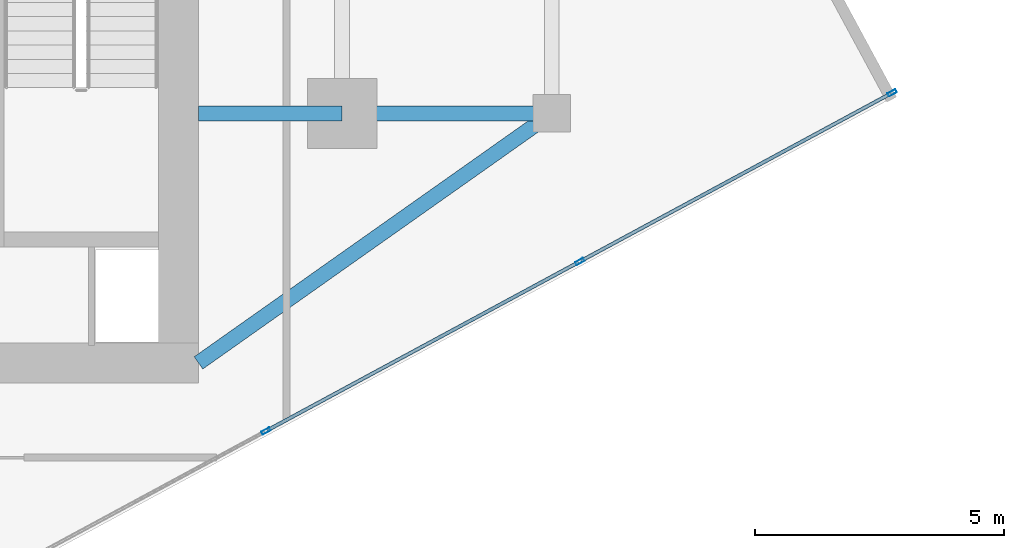
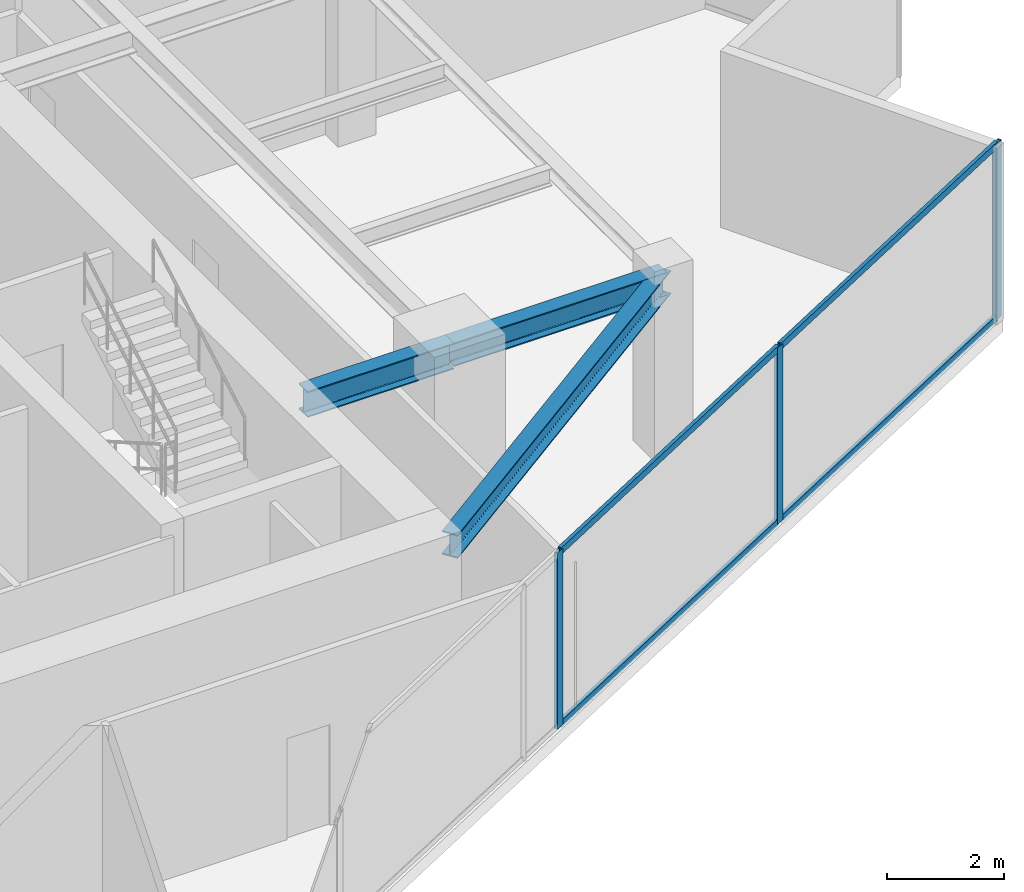
# One storey, part 8 of 22: 7 members, 3 beams, 1 element without a shape of its own.
"""IFC4 building model written with IfcOpenShell, lengths in metres."""

from ifc_helpers import new_model, si_unit, direction, frame, origin, origin_2d, place, context, subcontext, project, spatial, hollow_rectangle, i_section, extrude, source, transform, mapped, material, material_profile, profile_set, type_object, type_shapes, element, aggregate, save


model = new_model("IFC4")

# Units and contexts
model_context = context("Model", 3, precision=1e-05, world=origin(), true_north=direction((0.0, 1.0)))
body_context = subcontext(model_context, "Body", "Model", "MODEL_VIEW")
ifc_project = project(units=[si_unit("LENGTHUNIT", "METRE"), si_unit("AREAUNIT", "SQUARE_METRE"), si_unit("VOLUMEUNIT", "CUBIC_METRE"), si_unit("PLANEANGLEUNIT", "RADIAN"), si_unit("MASSUNIT", "GRAM", prefix="KILO")], contexts=[model_context])

# Site, building, storey
site_placement = place(None, origin())
site = spatial("IfcSite", under=ifc_project, at=site_placement, CompositionType="ELEMENT")
building_placement = place(site_placement, origin())
building = spatial("IfcBuilding", under=site, at=building_placement, Name="Krantzveldt Concourse Tower", CompositionType="ELEMENT")
storey_placement = place(building_placement, frame((0.0, 0.0, 306.89990234375)))
storey = spatial("IfcBuildingStorey", under=building, at=storey_placement, Name="L75", CompositionType="ELEMENT", Elevation=306.89990234375)

# Beams
ifc_material_1 = material(Name="Steel S355JR", Category="steel")
ifc_material_profile_1 = material_profile(ifc_material_1, i_section(OverallWidth=0.300048828125, OverallDepth=0.489990234375, WebThickness=0.011962890625, FlangeThickness=0.02294921875, FilletRadius=0.027099609375, at=origin_2d()), Name="Steel S355JR", Category="steel")
ifc_profile_set_1 = profile_set([ifc_material_profile_1], Name="Steel S355JR - HEA 500")
beam_type_1 = type_object("IfcBeamType", Name="BM-B-HEA500", PredefinedType="BEAM", material=ifc_profile_set_1)
shared_shape_1 = source(origin(), body_context, "Body", "SweptSolid", [
    extrude(i_section(OverallWidth=0.300048828125, OverallDepth=0.489990234375, WebThickness=0.011962890625, FlangeThickness=0.02294921875, FilletRadius=0.027099609375, at=origin_2d()), origin(), (0.0, 0.0, 1.0), 4.199951171875),
])
beam_1_placement = place(storey_placement, frame((46.800048828125, 15.89990234375, 3.425048828125), z_axis=(1.0, 0.0, 0.0), x_axis=(0.0, 1.0, 0.0)))
element("IfcBeam", 1, at=beam_1_placement, inside=storey, type_object=beam_type_1, Name="L75 Tower Girder BR-RR1", PredefinedType="BEAM", context=body_context, shape_type="MappedRepresentation", body=[
    mapped(shared_shape_1, transform((0.0, 0.0, 0.0), x_axis=(1.0, 0.0, 0.0), y_axis=(0.0, 1.0, 0.0), z_axis=(0.0, 0.0, 1.0), scale=1.0)),
])
shared_shape_2 = source(origin(), body_context, "Body", "SweptSolid", [
    extrude(i_section(OverallWidth=0.300048828125, OverallDepth=0.489990234375, WebThickness=0.011962890625, FlangeThickness=0.02294921875, FilletRadius=0.027099609375, at=origin_2d()), origin(), (0.0, 0.0, 1.0), 8.667724609375),
])
type_shapes(beam_type_1, [shared_shape_1, shared_shape_2])
beam_2_placement = place(storey_placement, frame((51.0, 15.89990234375, 3.425048828125), z_axis=(-0.81684294656, -0.576860122261, 0.0), x_axis=(0.576860122261, -0.81684294656, 0.0)))
element("IfcBeam", 2, at=beam_2_placement, inside=storey, type_object=beam_type_1, Name="L75 Tower Girder BR-CSE", PredefinedType="BEAM", context=body_context, shape_type="MappedRepresentation", body=[
    mapped(shared_shape_2, transform((0.0, 0.0, 0.0), x_axis=(1.0, 0.0, 0.0), y_axis=(0.0, 1.0, 0.0), z_axis=(0.0, 0.0, 1.0), scale=1.0)),
])
ifc_material_profile_2 = material_profile(ifc_material_1, i_section(OverallWidth=0.300048828125, OverallDepth=0.5400390625, WebThickness=0.012451171875, FlangeThickness=0.02392578125, FilletRadius=0.027099609375, at=origin_2d()), Name="Steel S355JR", Category="steel")
ifc_profile_set_2 = profile_set([ifc_material_profile_2], Name="Steel S355JR - HEA 550")
beam_type_2 = type_object("IfcBeamType", Name="BM-B-HEA550", PredefinedType="BEAM", material=ifc_profile_set_2)
shared_shape_3 = source(origin(), body_context, "Body", "SweptSolid", [
    extrude(i_section(OverallWidth=0.300048828125, OverallDepth=0.5400390625, WebThickness=0.012451171875, FlangeThickness=0.02392578125, FilletRadius=0.027099609375, at=origin_2d()), origin(), (0.0, 0.0, 1.0), 2.880126953125),
])
type_shapes(beam_type_2, [shared_shape_3])
beam_3_placement = place(storey_placement, frame((43.919921875, 15.89990234375, 3.400146484375), z_axis=(1.0, 0.0, 0.0), x_axis=(0.0, 1.0, 0.0)))
element("IfcBeam", 3, at=beam_3_placement, inside=storey, type_object=beam_type_2, Name="L75 Tower Girder BG-CE1", PredefinedType="BEAM", context=body_context, shape_type="MappedRepresentation", body=[
    mapped(shared_shape_3, transform((0.0, 0.0, 0.0), x_axis=(1.0, 0.0, 0.0), y_axis=(0.0, 1.0, 0.0), z_axis=(0.0, 0.0, 1.0), scale=1.0)),
])

# Curtain wall, members
ifc_material_2 = material(Name="Anodised aluminium 6063-T6", Category="aluminium")
curtain_wall_type = type_object("IfcCurtainWallType", Name="CW4", PredefinedType="USERDEFINED", material=ifc_material_2)
curtain_wall_placement = place(storey_placement, origin())
curtain_wall = element("IfcCurtainWall", 4, at=curtain_wall_placement, inside=storey, type_object=curtain_wall_type, Name="CW-L75-F07", ObjectType="UNITISED CURTAIN WALL", PredefinedType="USERDEFINED")
ifc_material_profile_3 = material_profile(ifc_material_2, hollow_rectangle(XDim=0.070068359375, YDim=0.179931640625, WallThickness=0.0048828125, at=origin_2d()), Name="Anodised aluminium 6063-T6", Category="aluminium")
ifc_profile_set_3 = profile_set([ifc_material_profile_3], Name="Anodised aluminium 6063-T6 - ALU-MULL 180x70x5")
member_type_1 = type_object("IfcMemberType", Name="CW-MUL-180", PredefinedType="MULLION", material=ifc_profile_set_3)
shared_shape_4 = source(origin(), body_context, "Body", "SweptSolid", [
    extrude(hollow_rectangle(XDim=0.070068359375, YDim=0.179931640625, WallThickness=0.0048828125, at=origin_2d()), origin(), (0.0, 0.0, 1.0), 3.670166015625),
])
type_shapes(member_type_1, [shared_shape_4])
member_1_placement = place(storey_placement, frame((45.27197265625, 9.533935546875, 0.0), z_axis=(0.0, 0.0, 1.0), x_axis=(-0.475240271736, 0.87985605875, 0.0)))
member_1 = element("IfcMember", 5, at=member_1_placement, type_object=member_type_1, Name="CW-Z56 mullion 3", PredefinedType="MULLION", context=body_context, shape_type="MappedRepresentation", body=[
    mapped(shared_shape_4, transform((0.0, 0.0, 0.0), x_axis=(1.0, 0.0, 0.0), y_axis=(0.0, 1.0, 0.0), z_axis=(0.0, 0.0, 1.0), scale=1.0)),
])
member_2_placement = place(storey_placement, frame((51.56298828125, 12.931884765625, 0.0), z_axis=(0.0, 0.0, 1.0), x_axis=(-0.475240271736, 0.87985605875, 0.0)))
member_2 = element("IfcMember", 6, at=member_2_placement, type_object=member_type_1, Name="CW-Z56 mullion 4", PredefinedType="MULLION", context=body_context, shape_type="MappedRepresentation", body=[
    mapped(shared_shape_4, transform((0.0, 0.0, 0.0), x_axis=(1.0, 0.0, 0.0), y_axis=(0.0, 1.0, 0.0), z_axis=(0.0, 0.0, 1.0), scale=1.0)),
])
member_3_placement = place(storey_placement, frame((57.822998046875, 16.313232421875, 0.0), z_axis=(0.0, 0.0, 1.0), x_axis=(-0.475240271736, 0.87985605875, 0.0)))
member_3 = element("IfcMember", 7, at=member_3_placement, type_object=member_type_1, Name="CW-Z56 mullion 5", PredefinedType="MULLION", context=body_context, shape_type="MappedRepresentation", body=[
    mapped(shared_shape_4, transform((0.0, 0.0, 0.0), x_axis=(1.0, 0.0, 0.0), y_axis=(0.0, 1.0, 0.0), z_axis=(0.0, 0.0, 1.0), scale=1.0)),
])
ifc_material_profile_4 = material_profile(ifc_material_2, hollow_rectangle(XDim=0.070068359375, YDim=0.139892578125, WallThickness=0.0048828125, at=origin_2d()), Name="Anodised aluminium 6063-T6", Category="aluminium")
ifc_profile_set_4 = profile_set([ifc_material_profile_4], Name="Anodised aluminium 6063-T6 - ALU-TRAN 140x70x5")
member_type_2 = type_object("IfcMemberType", Name="CW-TRN-150", PredefinedType="USERDEFINED", material=ifc_profile_set_4)
shared_shape_5 = source(origin(), body_context, "Body", "SweptSolid", [
    extrude(hollow_rectangle(XDim=0.070068359375, YDim=0.139892578125, WallThickness=0.0048828125, at=origin_2d()), origin(), (0.0, 0.0, 1.0), 7.044921875),
])
member_4_placement = place(storey_placement, frame((51.59375, 12.94873046875, 0.03515625), z_axis=(0.879862796788, 0.475227796776, 0.0), x_axis=(-0.475227796776, 0.879862796788, 0.0)))
member_4 = element("IfcMember", 8, at=member_4_placement, type_object=member_type_2, Name="CW-Z56 transom 4.1", ObjectType="TRANSOM", PredefinedType="USERDEFINED", context=body_context, shape_type="MappedRepresentation", body=[
    mapped(shared_shape_5, transform((0.0, 0.0, 0.0), x_axis=(1.0, 0.0, 0.0), y_axis=(0.0, 1.0, 0.0), z_axis=(0.0, 0.0, 1.0), scale=1.0)),
])
member_5_placement = place(storey_placement, frame((51.59375, 12.94873046875, 3.635009765625), z_axis=(0.879862796788, 0.475227796776, 0.0), x_axis=(-0.475227796776, 0.879862796788, 0.0)))
member_5 = element("IfcMember", 9, at=member_5_placement, type_object=member_type_2, Name="CW-Z56 transom 4.2", ObjectType="TRANSOM", PredefinedType="USERDEFINED", context=body_context, shape_type="MappedRepresentation", body=[
    mapped(shared_shape_5, transform((0.0, 0.0, 0.0), x_axis=(1.0, 0.0, 0.0), y_axis=(0.0, 1.0, 0.0), z_axis=(0.0, 0.0, 1.0), scale=1.0)),
])
shared_shape_6 = source(origin(), body_context, "Body", "SweptSolid", [
    extrude(hollow_rectangle(XDim=0.070068359375, YDim=0.139892578125, WallThickness=0.0048828125, at=origin_2d()), origin(), (0.0, 0.0, 1.0), 7.080078125),
])
type_shapes(member_type_2, [shared_shape_5, shared_shape_6])
member_6_placement = place(storey_placement, frame((45.302734375, 9.550537109375, 0.03515625), z_axis=(0.879856953046, 0.47523861604, 0.0), x_axis=(-0.47523861604, 0.879856953046, 0.0)))
member_6 = element("IfcMember", 10, at=member_6_placement, type_object=member_type_2, Name="CW-Z56 transom 3.1", ObjectType="TRANSOM", PredefinedType="USERDEFINED", context=body_context, shape_type="MappedRepresentation", body=[
    mapped(shared_shape_6, transform((0.0, 0.0, 0.0), x_axis=(1.0, 0.0, 0.0), y_axis=(0.0, 1.0, 0.0), z_axis=(0.0, 0.0, 1.0), scale=1.0)),
])
member_7_placement = place(storey_placement, frame((45.302734375, 9.550537109375, 3.635009765625), z_axis=(0.879856953046, 0.47523861604, 0.0), x_axis=(-0.47523861604, 0.879856953046, 0.0)))
member_7 = element("IfcMember", 11, at=member_7_placement, type_object=member_type_2, Name="CW-Z56 transom 3.2", ObjectType="TRANSOM", PredefinedType="USERDEFINED", context=body_context, shape_type="MappedRepresentation", body=[
    mapped(shared_shape_6, transform((0.0, 0.0, 0.0), x_axis=(1.0, 0.0, 0.0), y_axis=(0.0, 1.0, 0.0), z_axis=(0.0, 0.0, 1.0), scale=1.0)),
])
aggregate(curtain_wall, [member_1, member_2, member_3, member_6, member_7, member_4, member_5])

save(model, "model.ifc")
